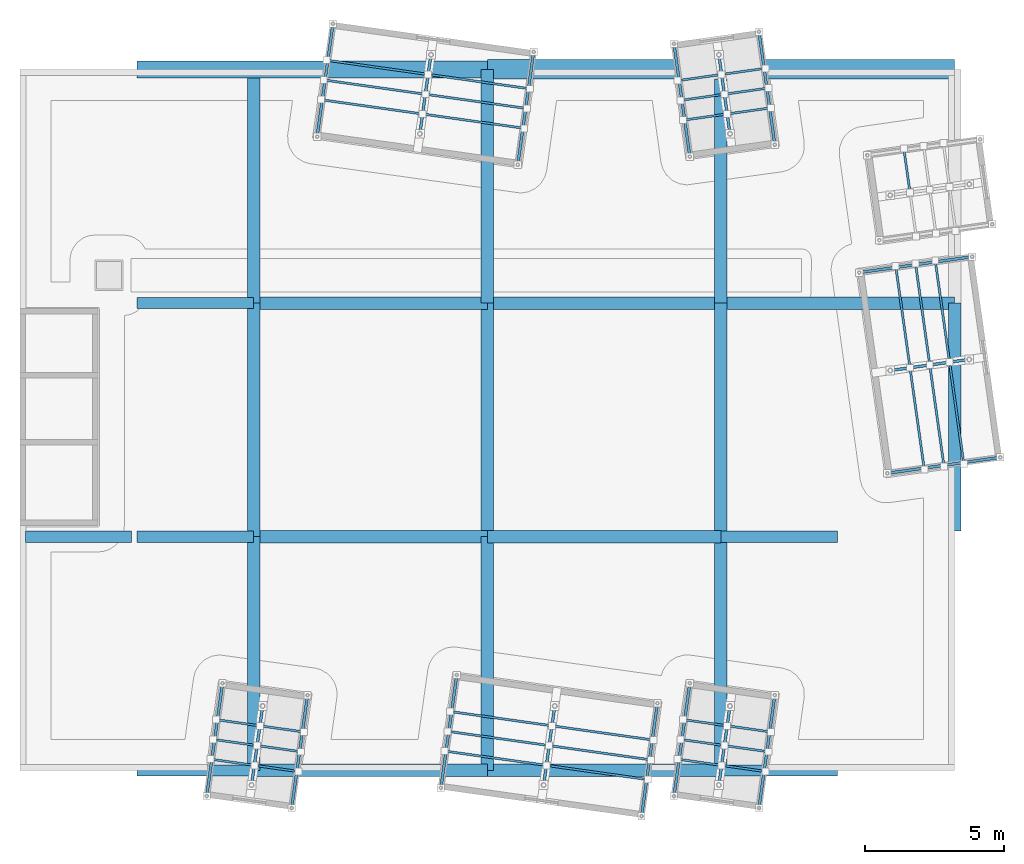
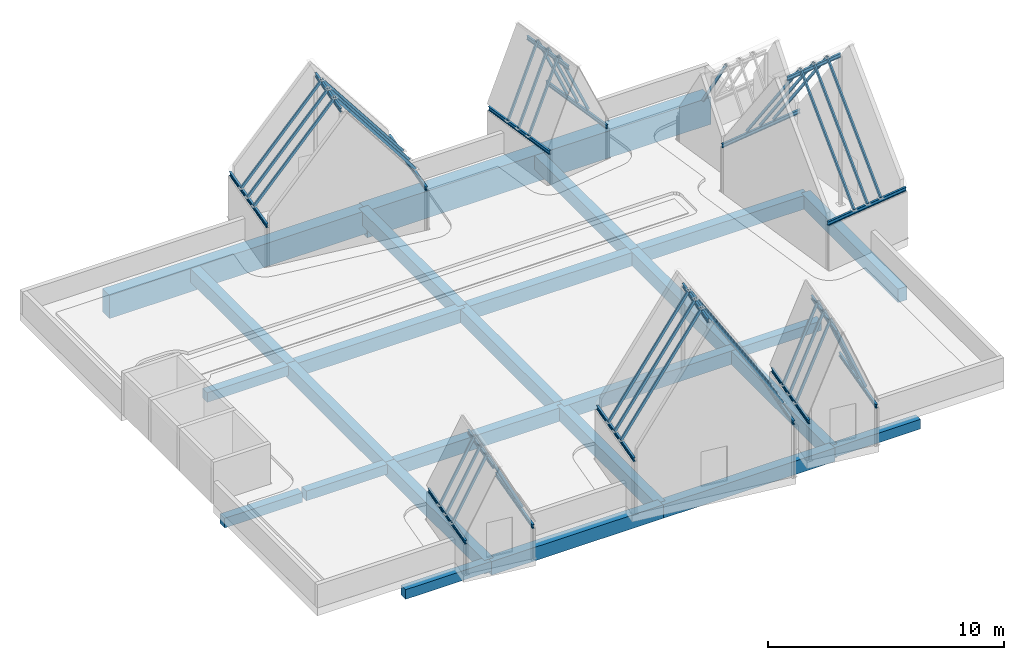
# One storey, part 7 of 11: 43 beams, 37 members.
"""IFC4 building model written with IfcOpenShell, lengths in metres."""

from ifc_helpers import new_model, si_unit, direction, frame, origin, origin_2d, place, context, subcontext, project, spatial, rectangle, hollow_rectangle, i_section, extrude, material, material_profile, profile_set, type_object, element, save


model = new_model("IFC4")

# Units and contexts
model_context = context("Model", 3, precision=1e-05, world=origin(), true_north=direction((0.0, 1.0)))
body_context = subcontext(model_context, "Body", "Model", "MODEL_VIEW")
ifc_project = project(units=[si_unit("LENGTHUNIT", "METRE"), si_unit("AREAUNIT", "SQUARE_METRE"), si_unit("VOLUMEUNIT", "CUBIC_METRE"), si_unit("PLANEANGLEUNIT", "RADIAN"), si_unit("MASSUNIT", "GRAM", prefix="KILO")], contexts=[model_context])

# Site, building, storey
site_placement = place(None, origin())
site = spatial("IfcSite", under=ifc_project, at=site_placement, CompositionType="ELEMENT")
building_placement = place(site_placement, origin())
building = spatial("IfcBuilding", under=site, at=building_placement, Name="Kiln Court Media Centre", CompositionType="ELEMENT")
storey_placement = place(building_placement, frame((0.0, 0.0, 42.60009765625)))
storey = spatial("IfcBuildingStorey", under=building, at=storey_placement, Name="ROOF", CompositionType="ELEMENT", Elevation=42.60009765625)

# Beams
ifc_material_1 = material(Name="Concrete C30/37", Category="concrete")
ifc_material_profile_1 = material_profile(ifc_material_1, rectangle(XDim=0.39990234375, YDim=0.5, at=origin_2d()), Name="RC 400x500")
ifc_profile_set_1 = profile_set([ifc_material_profile_1], Name="Concrete C30/37")
beam_type_1 = type_object("IfcBeamType", Name="Concrete C30/37 beam 400x500", PredefinedType="BEAM", material=ifc_profile_set_1)
for number, where, z_axis, x_axis, name in (
    (1, (4.199951171875, 0.0, -0.650146484375), (1.0, 0.0, 0.0), (0.0, 1.0, 0.0), "ROOF-B-1011"),
    (2, (25.199951171875, 0.0, -0.650146484375), (1.0, 0.0, 0.0), (0.0, 1.0, 0.0), "ROOF-B-1014"),
):
    element("IfcBeam", number, at=place(storey_placement, frame(where, z_axis=z_axis, x_axis=x_axis)), inside=storey, type_object=beam_type_1, Name=name, PredefinedType="BEAM", context=body_context, shape_type="SweptSolid", body=[
        extrude(rectangle(XDim=0.39990234375, YDim=0.5, at=origin_2d()), origin(), (0.0, 0.0, 1.0), 4.199951171875),
    ])
beam_1_placement = place(storey_placement, frame((0.199951171875, 8.39990234375, -0.650146484375), z_axis=(1.0, 0.0, 0.0), x_axis=(0.0, 1.0, 0.0)))
element("IfcBeam", 3, at=beam_1_placement, inside=storey, type_object=beam_type_1, Name="ROOF-B-1015", PredefinedType="BEAM", context=body_context, shape_type="SweptSolid", body=[
    extrude(rectangle(XDim=0.39990234375, YDim=0.5, at=origin_2d()), origin(), (0.0, 0.0, 1.0), 3.800048828125),
])
for number, where, z_axis, x_axis, name in (
    (4, (4.199951171875, 8.39990234375, -0.650146484375), (1.0, 0.0, 0.0), (0.0, 1.0, 0.0), "ROOF-B-1016"),
    (5, (25.199951171875, 8.39990234375, -0.650146484375), (1.0, 0.0, 0.0), (0.0, 1.0, 0.0), "ROOF-B-1019"),
    (6, (4.199951171875, 16.800048828125, -0.650146484375), (1.0, 0.0, 0.0), (0.0, 1.0, 0.0), "ROOF-B-1020"),
):
    element("IfcBeam", number, at=place(storey_placement, frame(where, z_axis=z_axis, x_axis=x_axis)), inside=storey, type_object=beam_type_1, Name=name, PredefinedType="BEAM", context=body_context, shape_type="SweptSolid", body=[
        extrude(rectangle(XDim=0.39990234375, YDim=0.5, at=origin_2d()), origin(), (0.0, 0.0, 1.0), 4.199951171875),
    ])
ifc_material_2 = material(Name="Concrete C30/37", Category="concrete")
ifc_material_profile_2 = material_profile(ifc_material_2, rectangle(XDim=0.449951171875, YDim=0.699951171875, at=origin_2d()), Name="RC 450x700")
ifc_profile_set_2 = profile_set([ifc_material_profile_2], Name="Concrete C30/37")
beam_type_2 = type_object("IfcBeamType", Name="Concrete C30/37 beam 450x700", PredefinedType="BEAM", material=ifc_profile_set_2)
beam_2_placement = place(storey_placement, frame((8.39990234375, 0.0, -0.75), z_axis=(0.0, 1.0, 0.0), x_axis=(-1.0, 0.0, 0.0)))
element("IfcBeam", 7, at=beam_2_placement, inside=storey, type_object=beam_type_2, Name="ROOF-B-1000", PredefinedType="BEAM", context=body_context, shape_type="SweptSolid", body=[
    extrude(rectangle(XDim=0.449951171875, YDim=0.699951171875, at=origin_2d()), origin(), (0.0, 0.0, 1.0), 8.39990234375),
])
beam_3_placement = place(storey_placement, frame((8.39990234375, 8.39990234375, -0.75), z_axis=(0.0, 1.0, 0.0), x_axis=(-1.0, 0.0, 0.0)))
element("IfcBeam", 8, at=beam_3_placement, inside=storey, type_object=beam_type_2, Name="ROOF-B-1001", PredefinedType="BEAM", context=body_context, shape_type="SweptSolid", body=[
    extrude(rectangle(XDim=0.449951171875, YDim=0.699951171875, at=origin_2d()), origin(), (0.0, 0.0, 1.0), 8.400146484375),
])
beam_4_placement = place(storey_placement, frame((8.39990234375, 16.800048828125, -0.75), z_axis=(0.0, 1.0, 0.0), x_axis=(-1.0, 0.0, 0.0)))
element("IfcBeam", 9, at=beam_4_placement, inside=storey, type_object=beam_type_2, Name="ROOF-B-1002", PredefinedType="BEAM", context=body_context, shape_type="SweptSolid", body=[
    extrude(rectangle(XDim=0.449951171875, YDim=0.699951171875, at=origin_2d()), origin(), (0.0, 0.0, 1.0), 8.099853515625),
])
beam_5_placement = place(storey_placement, frame((16.800048828125, 0.0, -0.75), z_axis=(0.0, 1.0, 0.0), x_axis=(-1.0, 0.0, 0.0)))
element("IfcBeam", 10, at=beam_5_placement, inside=storey, type_object=beam_type_2, Name="ROOF-B-1003", PredefinedType="BEAM", context=body_context, shape_type="SweptSolid", body=[
    extrude(rectangle(XDim=0.449951171875, YDim=0.699951171875, at=origin_2d()), origin(), (0.0, 0.0, 1.0), 8.39990234375),
])
beam_6_placement = place(storey_placement, frame((16.800048828125, 8.39990234375, -0.75), z_axis=(0.0, 1.0, 0.0), x_axis=(-1.0, 0.0, 0.0)))
element("IfcBeam", 11, at=beam_6_placement, inside=storey, type_object=beam_type_2, Name="ROOF-B-1004", PredefinedType="BEAM", context=body_context, shape_type="SweptSolid", body=[
    extrude(rectangle(XDim=0.449951171875, YDim=0.699951171875, at=origin_2d()), origin(), (0.0, 0.0, 1.0), 8.400146484375),
])
for number, where, z_axis, x_axis, name in (
    (12, (16.800048828125, 16.800048828125, -0.75), (0.0, 1.0, 0.0), (-1.0, 0.0, 0.0), "ROOF-B-1005"),
    (13, (25.199951171875, 0.0, -0.75), (0.0, 1.0, 0.0), (-1.0, 0.0, 0.0), "ROOF-B-1006"),
):
    element("IfcBeam", number, at=place(storey_placement, frame(where, z_axis=z_axis, x_axis=x_axis)), inside=storey, type_object=beam_type_2, Name=name, PredefinedType="BEAM", context=body_context, shape_type="SweptSolid", body=[
        extrude(rectangle(XDim=0.449951171875, YDim=0.699951171875, at=origin_2d()), origin(), (0.0, 0.0, 1.0), 8.39990234375),
    ])
beam_7_placement = place(storey_placement, frame((25.199951171875, 8.39990234375, -0.75), z_axis=(0.0, 1.0, 0.0), x_axis=(-1.0, 0.0, 0.0)))
element("IfcBeam", 14, at=beam_7_placement, inside=storey, type_object=beam_type_2, Name="ROOF-B-1007", PredefinedType="BEAM", context=body_context, shape_type="SweptSolid", body=[
    extrude(rectangle(XDim=0.449951171875, YDim=0.699951171875, at=origin_2d()), origin(), (0.0, 0.0, 1.0), 8.400146484375),
])
beam_8_placement = place(storey_placement, frame((25.199951171875, 16.800048828125, -0.75), z_axis=(0.0, 1.0, 0.0), x_axis=(-1.0, 0.0, 0.0)))
element("IfcBeam", 15, at=beam_8_placement, inside=storey, type_object=beam_type_2, Name="ROOF-B-1008", PredefinedType="BEAM", context=body_context, shape_type="SweptSolid", body=[
    extrude(rectangle(XDim=0.449951171875, YDim=0.699951171875, at=origin_2d()), origin(), (0.0, 0.0, 1.0), 8.050048828125),
])
beam_9_placement = place(storey_placement, frame((33.60009765625, 8.60009765625, -0.75), z_axis=(0.0, 1.0, 0.0), x_axis=(-1.0, 0.0, 0.0)))
element("IfcBeam", 16, at=beam_9_placement, inside=storey, type_object=beam_type_2, Name="ROOF-B-1009", PredefinedType="BEAM", context=body_context, shape_type="SweptSolid", body=[
    extrude(rectangle(XDim=0.449951171875, YDim=0.699951171875, at=origin_2d()), origin(), (0.0, 0.0, 1.0), 8.199951171875),
])
beam_10_placement = place(storey_placement, frame((8.39990234375, 0.0, -0.75), z_axis=(1.0, 0.0, 0.0), x_axis=(0.0, 1.0, 0.0)))
element("IfcBeam", 17, at=beam_10_placement, inside=storey, type_object=beam_type_2, Name="ROOF-B-1012", PredefinedType="BEAM", context=body_context, shape_type="SweptSolid", body=[
    extrude(rectangle(XDim=0.449951171875, YDim=0.699951171875, at=origin_2d()), origin(), (0.0, 0.0, 1.0), 8.400146484375),
])
beam_11_placement = place(storey_placement, frame((16.800048828125, 0.0, -0.75), z_axis=(1.0, 0.0, 0.0), x_axis=(0.0, 1.0, 0.0)))
element("IfcBeam", 18, at=beam_11_placement, inside=storey, type_object=beam_type_2, Name="ROOF-B-1013", PredefinedType="BEAM", context=body_context, shape_type="SweptSolid", body=[
    extrude(rectangle(XDim=0.449951171875, YDim=0.699951171875, at=origin_2d()), origin(), (0.0, 0.0, 1.0), 8.39990234375),
])
beam_12_placement = place(storey_placement, frame((8.39990234375, 8.39990234375, -0.75), z_axis=(1.0, 0.0, 0.0), x_axis=(0.0, 1.0, 0.0)))
element("IfcBeam", 19, at=beam_12_placement, inside=storey, type_object=beam_type_2, Name="ROOF-B-1017", PredefinedType="BEAM", context=body_context, shape_type="SweptSolid", body=[
    extrude(rectangle(XDim=0.449951171875, YDim=0.699951171875, at=origin_2d()), origin(), (0.0, 0.0, 1.0), 8.400146484375),
])
beam_13_placement = place(storey_placement, frame((16.800048828125, 8.39990234375, -0.75), z_axis=(1.0, 0.0, 0.0), x_axis=(0.0, 1.0, 0.0)))
element("IfcBeam", 20, at=beam_13_placement, inside=storey, type_object=beam_type_2, Name="ROOF-B-1018", PredefinedType="BEAM", context=body_context, shape_type="SweptSolid", body=[
    extrude(rectangle(XDim=0.449951171875, YDim=0.699951171875, at=origin_2d()), origin(), (0.0, 0.0, 1.0), 8.39990234375),
])
beam_14_placement = place(storey_placement, frame((8.39990234375, 16.800048828125, -0.75), z_axis=(1.0, 0.0, 0.0), x_axis=(0.0, 1.0, 0.0)))
element("IfcBeam", 21, at=beam_14_placement, inside=storey, type_object=beam_type_2, Name="ROOF-B-1021", PredefinedType="BEAM", context=body_context, shape_type="SweptSolid", body=[
    extrude(rectangle(XDim=0.449951171875, YDim=0.699951171875, at=origin_2d()), origin(), (0.0, 0.0, 1.0), 8.400146484375),
])
beam_15_placement = place(storey_placement, frame((16.800048828125, 16.800048828125, -0.75), z_axis=(1.0, 0.0, 0.0), x_axis=(0.0, 1.0, 0.0)))
element("IfcBeam", 22, at=beam_15_placement, inside=storey, type_object=beam_type_2, Name="ROOF-B-1022", PredefinedType="BEAM", context=body_context, shape_type="SweptSolid", body=[
    extrude(rectangle(XDim=0.449951171875, YDim=0.699951171875, at=origin_2d()), origin(), (0.0, 0.0, 1.0), 8.39990234375),
])
beam_16_placement = place(storey_placement, frame((25.199951171875, 16.800048828125, -0.75), z_axis=(1.0, 0.0, 0.0), x_axis=(0.0, 1.0, 0.0)))
element("IfcBeam", 23, at=beam_16_placement, inside=storey, type_object=beam_type_2, Name="ROOF-B-1023", PredefinedType="BEAM", context=body_context, shape_type="SweptSolid", body=[
    extrude(rectangle(XDim=0.449951171875, YDim=0.699951171875, at=origin_2d()), origin(), (0.0, 0.0, 1.0), 8.400146484375),
])
ifc_material_3 = material(Name="Concrete C30/37", Category="concrete")
ifc_material_profile_3 = material_profile(ifc_material_3, rectangle(XDim=0.60009765625, YDim=1.199951171875, at=origin_2d()), Name="RC 600x1200")
ifc_profile_set_3 = profile_set([ifc_material_profile_3], Name="Concrete C30/37")
beam_type_3 = type_object("IfcBeamType", Name="Concrete C30/37 beam 600x1200", PredefinedType="BEAM", material=ifc_profile_set_3)
beam_17_placement = place(storey_placement, frame((4.199951171875, 25.199951171875, -1.0), z_axis=(1.0, 0.0, 0.0), x_axis=(0.0, 1.0, 0.0)))
element("IfcBeam", 24, at=beam_17_placement, inside=storey, type_object=beam_type_3, Name="ROOF-B-1024", PredefinedType="BEAM", context=body_context, shape_type="SweptSolid", body=[
    extrude(rectangle(XDim=0.60009765625, YDim=1.199951171875, at=origin_2d()), origin(), (0.0, 0.0, 1.0), 12.60009765625),
])
ifc_material_4 = material(Name="Concrete C30/37", Category="concrete")
ifc_material_profile_4 = material_profile(ifc_material_4, rectangle(XDim=0.699951171875, YDim=1.39990234375, at=origin_2d()), Name="RC 700x1400")
ifc_profile_set_4 = profile_set([ifc_material_profile_4], Name="Concrete C30/37")
beam_type_4 = type_object("IfcBeamType", Name="Concrete C30/37 beam 700x1400", PredefinedType="BEAM", material=ifc_profile_set_4)
beam_18_placement = place(storey_placement, frame((16.800048828125, 25.199951171875, -1.10009765625), z_axis=(1.0, 0.0, 0.0), x_axis=(0.0, 1.0, 0.0)))
element("IfcBeam", 25, at=beam_18_placement, inside=storey, type_object=beam_type_4, Name="ROOF-B-1025", PredefinedType="BEAM", context=body_context, shape_type="SweptSolid", body=[
    extrude(rectangle(XDim=0.699951171875, YDim=1.39990234375, at=origin_2d()), origin(), (0.0, 0.0, 1.0), 16.800048828125),
])

# Members
ifc_material_5 = material(Name="Steel ASTM A500 Gr C", Category="steel")
ifc_material_profile_5 = material_profile(ifc_material_5, hollow_rectangle(XDim=0.080078125, YDim=0.1201171875, WallThickness=0.00634765625, at=origin_2d()), Name="RHS 120x80x6.3")
ifc_profile_set_5 = profile_set([ifc_material_profile_5], Name="Steel ASTM A500 Gr C")
member_type = type_object("IfcMemberType", Name="Steel ASTM A500 Gr C RHS 120x80x6.3 crown rafter", PredefinedType="BRACE", material=ifc_profile_set_5)
member_1_placement = place(storey_placement, frame((7.04443359375, 1.823974609375, 1.77880859375), z_axis=(0.444935552498, -0.062541141917, 0.893376158005), x_axis=(0.139193896019, 0.990265145964, 0.0)))
element("IfcMember", 26, at=member_1_placement, inside=storey, type_object=member_type, Name="crown form 1 rafter 1 crown rafter", PredefinedType="BRACE", context=body_context, shape_type="SweptSolid", body=[
    extrude(hollow_rectangle(XDim=0.080078125, YDim=0.1201171875, WallThickness=0.00634765625, at=origin_2d()), origin(), (0.0, 0.0, 1.0), 3.55224609375),
])
for number, where, z_axis, x_axis, name in (
    (27, (10.205810546875, 1.379638671875, 1.77880859375), (-0.44499067087, 0.06253922942, 0.893348838709), (-0.139172815303, -0.990268108888, 0.0), "crown form 1 rafter 1 crown rafter"),
    (28, (6.944580078125, 1.11328125, 1.77880859375), (0.44499067087, -0.06253922942, 0.893348838709), (0.139172815303, 0.990268108888, 0.0), "crown form 1 rafter 2 crown rafter"),
):
    element("IfcMember", number, at=place(storey_placement, frame(where, z_axis=z_axis, x_axis=x_axis)), inside=storey, type_object=member_type, Name=name, PredefinedType="BRACE", context=body_context, shape_type="SweptSolid", body=[
        extrude(hollow_rectangle(XDim=0.080078125, YDim=0.1201171875, WallThickness=0.00634765625, at=origin_2d()), origin(), (0.0, 0.0, 1.0), 3.552490234375),
    ])
for number, where, z_axis, x_axis, name in (
    (29, (10.105712890625, 0.669189453125, 1.77880859375), (-0.444882340349, 0.062474594064, 0.893407313795), (-0.139064959714, -0.990283260981, 0.0), "crown form 1 rafter 2 crown rafter"),
    (30, (6.8447265625, 0.40283203125, 1.77880859375), (0.444935552498, -0.062541141917, 0.893376158005), (0.139193896019, 0.990265145964, 0.0), "crown form 1 rafter 3 crown rafter"),
):
    element("IfcMember", number, at=place(storey_placement, frame(where, z_axis=z_axis, x_axis=x_axis)), inside=storey, type_object=member_type, Name=name, PredefinedType="BRACE", context=body_context, shape_type="SweptSolid", body=[
        extrude(hollow_rectangle(XDim=0.080078125, YDim=0.1201171875, WallThickness=0.00634765625, at=origin_2d()), origin(), (0.0, 0.0, 1.0), 3.55224609375),
    ])
member_2_placement = place(storey_placement, frame((10.006103515625, -0.04150390625, 1.77880859375), z_axis=(-0.44499067087, 0.06253922942, 0.893348838709), x_axis=(-0.139172815303, -0.990268108888, 0.0)))
element("IfcMember", 31, at=member_2_placement, inside=storey, type_object=member_type, Name="crown form 1 rafter 3 crown rafter", PredefinedType="BRACE", context=body_context, shape_type="SweptSolid", body=[
    extrude(hollow_rectangle(XDim=0.080078125, YDim=0.1201171875, WallThickness=0.00634765625, at=origin_2d()), origin(), (0.0, 0.0, 1.0), 3.552490234375),
])
member_3_placement = place(storey_placement, frame((15.4677734375, 2.11572265625, 2.931884765625), z_axis=(0.52669523481, -0.074011580058, 0.846826083471), x_axis=(0.139153542748, 0.990270817272, 0.0)))
element("IfcMember", 32, at=member_3_placement, inside=storey, type_object=member_type, Name="crown form 2 rafter 1 crown rafter", PredefinedType="BRACE", context=body_context, shape_type="SweptSolid", body=[
    extrude(hollow_rectangle(XDim=0.080078125, YDim=0.1201171875, WallThickness=0.00634765625, at=origin_2d()), origin(), (0.0, 0.0, 1.0), 6.943603515625),
])
for number, where, z_axis, x_axis, name in (
    (33, (22.782470703125, 1.087646484375, 2.931884765625), (-0.526719269445, 0.074045175986, 0.846808197356), (-0.139209255089, -0.990262986937, 0.0), "crown form 2 rafter 1 crown rafter"),
    (34, (15.367919921875, 1.4052734375, 2.931884765625), (0.526719269445, -0.074045175986, 0.846808197356), (0.139209255089, 0.990262986937, 0.0), "crown form 2 rafter 2 crown rafter"),
):
    element("IfcMember", number, at=place(storey_placement, frame(where, z_axis=z_axis, x_axis=x_axis)), inside=storey, type_object=member_type, Name=name, PredefinedType="BRACE", context=body_context, shape_type="SweptSolid", body=[
        extrude(hollow_rectangle(XDim=0.080078125, YDim=0.1201171875, WallThickness=0.00634765625, at=origin_2d()), origin(), (0.0, 0.0, 1.0), 6.94384765625),
    ])
for number, where, z_axis, x_axis, name in (
    (35, (22.6826171875, 0.377197265625, 2.931884765625), (-0.52669523481, 0.074011580058, 0.846826083471), (-0.139153542748, -0.990270817272, 0.0), "crown form 2 rafter 2 crown rafter"),
    (36, (15.26806640625, 0.694580078125, 2.931884765625), (0.52669523481, -0.074011580058, 0.846826083471), (0.139153542748, 0.990270817272, 0.0), "crown form 2 rafter 3 crown rafter"),
):
    element("IfcMember", number, at=place(storey_placement, frame(where, z_axis=z_axis, x_axis=x_axis)), inside=storey, type_object=member_type, Name=name, PredefinedType="BRACE", context=body_context, shape_type="SweptSolid", body=[
        extrude(hollow_rectangle(XDim=0.080078125, YDim=0.1201171875, WallThickness=0.00634765625, at=origin_2d()), origin(), (0.0, 0.0, 1.0), 6.943603515625),
    ])
member_4_placement = place(storey_placement, frame((22.582763671875, -0.333251953125, 2.931884765625), z_axis=(-0.526720640368, 0.074010209464, 0.846810401392), x_axis=(-0.139144433924, -0.990272097208, 0.0)))
element("IfcMember", 37, at=member_4_placement, inside=storey, type_object=member_type, Name="crown form 2 rafter 3 crown rafter", PredefinedType="BRACE", context=body_context, shape_type="SweptSolid", body=[
    extrude(hollow_rectangle(XDim=0.080078125, YDim=0.1201171875, WallThickness=0.00634765625, at=origin_2d()), origin(), (0.0, 0.0, 1.0), 6.94384765625),
])
for number, where, z_axis, x_axis, name in (
    (38, (23.842529296875, 1.82421875, 2.112548828125), (0.373639481675, -0.052512429467, 0.926086379603), (0.139175244701, 0.990267767456, 0.0), "crown form 3 rafter 1 crown rafter"),
    (39, (27.007568359375, 1.37939453125, 2.112548828125), (-0.373639481675, 0.052512429467, 0.926086379603), (-0.139175244701, -0.990267767456, 0.0), "crown form 3 rafter 1 crown rafter"),
    (40, (23.74267578125, 1.113525390625, 2.112548828125), (0.373639481675, -0.052512429467, 0.926086379603), (0.139175244701, 0.990267767456, 0.0), "crown form 3 rafter 2 crown rafter"),
    (41, (26.90771484375, 0.668701171875, 2.112548828125), (-0.373639481675, 0.052512429467, 0.926086379603), (-0.139175244701, -0.990267767456, 0.0), "crown form 3 rafter 2 crown rafter"),
    (42, (23.642822265625, 0.403076171875, 2.112548828125), (0.373639481675, -0.052512429467, 0.926086379603), (0.139175244701, 0.990267767456, 0.0), "crown form 3 rafter 3 crown rafter"),
    (43, (26.807861328125, -0.041748046875, 2.112548828125), (-0.373639481675, 0.052512429467, 0.926086379603), (-0.139175244701, -0.990267767456, 0.0), "crown form 3 rafter 3 crown rafter"),
):
    element("IfcMember", number, at=place(storey_placement, frame(where, z_axis=z_axis, x_axis=x_axis)), inside=storey, type_object=member_type, Name=name, PredefinedType="BRACE", context=body_context, shape_type="SweptSolid", body=[
        extrude(hollow_rectangle(XDim=0.080078125, YDim=0.1201171875, WallThickness=0.00634765625, at=origin_2d()), origin(), (0.0, 0.0, 1.0), 4.2353515625),
    ])
for number, where, z_axis, x_axis, name in (
    (44, (32.511962890625, 10.819091796875, 2.664306640625), (-0.079918983246, 0.568777022395, 0.818599813653), (-0.990272246841, -0.139143368997, 0.0), "crown form 4 rafter 1 crown rafter"),
    (45, (31.484619140625, 18.130615234375, 2.664306640625), (0.079918983246, -0.568777022395, 0.818599813653), (0.990272246841, 0.139143368997, 0.0), "crown form 4 rafter 1 crown rafter"),
):
    element("IfcMember", number, at=place(storey_placement, frame(where, z_axis=z_axis, x_axis=x_axis)), inside=storey, type_object=member_type, Name=name, PredefinedType="BRACE", context=body_context, shape_type="SweptSolid", body=[
        extrude(hollow_rectangle(XDim=0.080078125, YDim=0.1201171875, WallThickness=0.00634765625, at=origin_2d()), origin(), (0.0, 0.0, 1.0), 6.427490234375),
    ])
member_5_placement = place(storey_placement, frame((33.222412109375, 10.919189453125, 2.664306640625), z_axis=(-0.079920709862, 0.568751325456, 0.818617499158), x_axis=(-0.990270966327, -0.139152482011, 0.0)))
element("IfcMember", 46, at=member_5_placement, inside=storey, type_object=member_type, Name="crown form 4 rafter 2 crown rafter", PredefinedType="BRACE", context=body_context, shape_type="SweptSolid", body=[
    extrude(hollow_rectangle(XDim=0.080078125, YDim=0.1201171875, WallThickness=0.00634765625, at=origin_2d()), origin(), (0.0, 0.0, 1.0), 6.42724609375),
])
for number, where, z_axis, x_axis, name in (
    (47, (32.195068359375, 18.23046875, 2.664306640625), (0.079918983246, -0.568777022395, 0.818599813653), (0.990272246841, 0.139143368997, 0.0), "crown form 4 rafter 2 crown rafter"),
    (48, (33.93310546875, 11.018798828125, 2.664306640625), (-0.079956724774, 0.568775295375, 0.818597328077), (-0.990263132378, -0.139208220493, 0.0), "crown form 4 rafter 3 crown rafter"),
    (49, (32.905517578125, 18.330322265625, 2.664306640625), (0.079918983246, -0.568777022395, 0.818599813653), (0.990272246841, 0.139143368997, 0.0), "crown form 4 rafter 3 crown rafter"),
):
    element("IfcMember", number, at=place(storey_placement, frame(where, z_axis=z_axis, x_axis=x_axis)), inside=storey, type_object=member_type, Name=name, PredefinedType="BRACE", context=body_context, shape_type="SweptSolid", body=[
        extrude(hollow_rectangle(XDim=0.080078125, YDim=0.1201171875, WallThickness=0.00634765625, at=origin_2d()), origin(), (0.0, 0.0, 1.0), 6.427490234375),
    ])
member_6_placement = place(storey_placement, frame((31.7763671875, 22.353515625, 1.580322265625), z_axis=(0.070358789363, -0.50048397362, 0.862882050404), x_axis=(0.990262517646, 0.139212593341, 0.0)))
element("IfcMember", 50, at=member_6_placement, inside=storey, type_object=member_type, Name="crown form 5 rafter 1 crown rafter", PredefinedType="BRACE", context=body_context, shape_type="SweptSolid", body=[
    extrude(hollow_rectangle(XDim=0.080078125, YDim=0.1201171875, WallThickness=0.00634765625, at=origin_2d()), origin(), (0.0, 0.0, 1.0), 3.154052734375),
])
for number, where, z_axis, x_axis, name in (
    (51, (10.8212890625, 24.11181640625, 2.397216796875), (0.616146172229, -0.086626899189, 0.782853546192), (0.139225428698, 0.990260713148, 0.0), "crown form 6 rafter 1 crown rafter"),
    (52, (18.12841796875, 23.084716796875, 2.397216796875), (-0.616148369292, 0.086586035458, 0.782856337703), (-0.139160538675, -0.990269834174, 0.0), "crown form 6 rafter 1 crown rafter"),
    (53, (10.921142578125, 24.822265625, 2.397216796875), (0.616148369292, -0.086586035458, 0.782856337703), (0.139160538675, 0.990269834174, 0.0), "crown form 6 rafter 2 crown rafter"),
    (54, (18.228271484375, 23.79541015625, 2.397216796875), (-0.616148369292, 0.086586035458, 0.782856337703), (-0.139160538675, -0.990269834174, 0.0), "crown form 6 rafter 2 crown rafter"),
    (55, (11.02099609375, 25.53271484375, 2.397216796875), (0.616148369292, -0.086586035458, 0.782856337703), (0.139160538675, 0.990269834174, 0.0), "crown form 6 rafter 3 crown rafter"),
    (56, (18.328125, 24.505859375, 2.397216796875), (-0.616148369292, 0.086586035458, 0.782856337703), (-0.139160538675, -0.990269834174, 0.0), "crown form 6 rafter 3 crown rafter"),
):
    element("IfcMember", number, at=place(storey_placement, frame(where, z_axis=z_axis, x_axis=x_axis)), inside=storey, type_object=member_type, Name=name, PredefinedType="BRACE", context=body_context, shape_type="SweptSolid", body=[
        extrude(hollow_rectangle(XDim=0.080078125, YDim=0.1201171875, WallThickness=0.00634765625, at=origin_2d()), origin(), (0.0, 0.0, 1.0), 5.9296875),
    ])
for number, where, z_axis, x_axis, name in (
    (57, (23.843505859375, 23.3759765625, 1.9130859375), (0.4137913563, 0.058127529212, 0.908514118657), (-0.139109611072, 0.990276989588, 0.0), "crown form 7 rafter 1 crown rafter"),
    (58, (27.006591796875, 23.820556640625, 1.9130859375), (-0.413789819067, -0.058191189437, 0.90851074353), (0.139259515776, -0.990255920086, 0.0), "crown form 7 rafter 1 crown rafter"),
    (59, (23.743896484375, 24.08642578125, 1.9130859375), (0.413736877806, 0.058192727448, 0.908534755756), (-0.139280599335, 0.99025295488, 0.0), "crown form 7 rafter 2 crown rafter"),
    (60, (26.90673828125, 24.531005859375, 1.9130859375), (-0.4137913563, -0.058127529212, 0.908514118657), (0.139109611072, -0.990276989588, 0.0), "crown form 7 rafter 2 crown rafter"),
    (61, (23.643798828125, 24.797119140625, 1.9130859375), (0.4137913563, 0.058127529212, 0.908514118657), (-0.139109611072, 0.990276989588, 0.0), "crown form 7 rafter 3 crown rafter"),
    (62, (26.806884765625, 25.241455078125, 1.9130859375), (-0.4137913563, -0.058127529212, 0.908514118657), (0.139109611072, -0.990276989588, 0.0), "crown form 7 rafter 3 crown rafter"),
):
    element("IfcMember", number, at=place(storey_placement, frame(where, z_axis=z_axis, x_axis=x_axis)), inside=storey, type_object=member_type, Name=name, PredefinedType="BRACE", context=body_context, shape_type="SweptSolid", body=[
        extrude(hollow_rectangle(XDim=0.080078125, YDim=0.1201171875, WallThickness=0.00634765625, at=origin_2d()), origin(), (0.0, 0.0, 1.0), 3.822021484375),
    ])

# Beams
ifc_material_6 = material(Name="Steel ASTM A572 Gr 50", Category="steel")
ifc_material_profile_6 = material_profile(ifc_material_6, i_section(OverallWidth=0.10009765625, OverallDepth=0.199951171875, WebThickness=0.005615234375, FlangeThickness=0.008544921875, FilletRadius=0.011962890625, at=origin_2d()), Name="IPE 200")
ifc_profile_set_6 = profile_set([ifc_material_profile_6], Name="Steel ASTM A572 Gr 50")
beam_type_5 = type_object("IfcBeamType", Name="Steel ASTM A572 Gr 50 IPE 200 crown eaves beam", PredefinedType="JOIST", material=ifc_profile_set_6)
for number, where, z_axis, x_axis, name in (
    (63, (7.2900390625, 3.185546875, 1.65185546875), (-0.139158641769, -0.990270100741, 0.0), (0.990270100741, -0.139158641769, 0.0), "crown form 1 eaves beam crown eaves beam"),
    (64, (10.344970703125, 2.756103515625, 1.65185546875), (-0.139158641769, -0.990270100741, 0.0), (0.990270100741, -0.139158641769, 0.0), "crown form 1 eaves beam crown eaves beam"),
    (65, (15.71044921875, 3.477783203125, 2.7998046875), (-0.139158641769, -0.990270100741, 0.0), (0.990270100741, -0.139158641769, 0.0), "crown form 2 eaves beam crown eaves beam"),
    (66, (22.924560546875, 2.4638671875, 2.7998046875), (-0.139158641769, -0.990270100741, 0.0), (0.990270100741, -0.139158641769, 0.0), "crown form 2 eaves beam crown eaves beam"),
    (67, (24.090087890625, 3.185546875, 1.989990234375), (-0.139158641769, -0.990270100741, 0.0), (0.990270100741, -0.139158641769, 0.0), "crown form 3 eaves beam crown eaves beam"),
    (68, (27.14501953125, 2.756103515625, 1.989990234375), (-0.139158641769, -0.990270100741, 0.0), (0.990270100741, -0.139158641769, 0.0), "crown form 3 eaves beam crown eaves beam"),
):
    element("IfcBeam", number, at=place(storey_placement, frame(where, z_axis=z_axis, x_axis=x_axis)), inside=storey, type_object=beam_type_5, Name=name, PredefinedType="JOIST", context=body_context, shape_type="SweptSolid", body=[
        extrude(i_section(OverallWidth=0.10009765625, OverallDepth=0.199951171875, WebThickness=0.005615234375, FlangeThickness=0.008544921875, FilletRadius=0.011962890625, at=origin_2d()), origin(), (0.0, 0.0, 1.0), 4.199951171875),
    ])
beam_19_placement = place(storey_placement, frame((31.135986328125, 10.67529296875, 2.52978515625), z_axis=(0.990263215318, 0.139207630492, 0.0), x_axis=(-0.139207630492, 0.990263215318, 0.0)))
element("IfcBeam", 69, at=beam_19_placement, inside=storey, type_object=beam_type_5, Name="crown form 4 eaves beam crown eaves beam", PredefinedType="JOIST", context=body_context, shape_type="SweptSolid", body=[
    extrude(i_section(OverallWidth=0.10009765625, OverallDepth=0.199951171875, WebThickness=0.005615234375, FlangeThickness=0.008544921875, FilletRadius=0.011962890625, at=origin_2d()), origin(), (0.0, 0.0, 1.0), 4.200439453125),
])
for number, where, z_axis, x_axis, name in (
    (70, (30.122314453125, 17.889404296875, 2.52978515625), (0.990262088845, 0.139215643507, 0.0), (-0.139215643507, 0.990262088845, 0.0), "crown form 4 eaves beam crown eaves beam"),
    (71, (10.67529296875, 22.736083984375, 2.260009765625), (0.139215643507, 0.990262088845, 0.0), (-0.990262088845, 0.139215643507, 0.0), "crown form 6 eaves beam crown eaves beam"),
):
    element("IfcBeam", number, at=place(storey_placement, frame(where, z_axis=z_axis, x_axis=x_axis)), inside=storey, type_object=beam_type_5, Name=name, PredefinedType="JOIST", context=body_context, shape_type="SweptSolid", body=[
        extrude(i_section(OverallWidth=0.10009765625, OverallDepth=0.199951171875, WebThickness=0.005615234375, FlangeThickness=0.008544921875, FilletRadius=0.011962890625, at=origin_2d()), origin(), (0.0, 0.0, 1.0), 4.2001953125),
    ])
for number, where, z_axis, x_axis, name in (
    (72, (17.889404296875, 21.722412109375, 2.260009765625), (0.139223657435, 0.990260962176, 0.0), (-0.990260962176, 0.139223657435, 0.0), "crown form 6 eaves beam crown eaves beam"),
    (73, (24.090087890625, 22.014404296875, 1.787841796875), (-0.139158641769, 0.990270100741, 0.0), (-0.990270100741, -0.139158641769, 0.0), "crown form 7 eaves beam crown eaves beam"),
    (74, (27.14501953125, 22.44384765625, 1.787841796875), (-0.139158641769, 0.990270100741, 0.0), (-0.990270100741, -0.139158641769, 0.0), "crown form 7 eaves beam crown eaves beam"),
):
    element("IfcBeam", number, at=place(storey_placement, frame(where, z_axis=z_axis, x_axis=x_axis)), inside=storey, type_object=beam_type_5, Name=name, PredefinedType="JOIST", context=body_context, shape_type="SweptSolid", body=[
        extrude(i_section(OverallWidth=0.10009765625, OverallDepth=0.199951171875, WebThickness=0.005615234375, FlangeThickness=0.008544921875, FilletRadius=0.011962890625, at=origin_2d()), origin(), (0.0, 0.0, 1.0), 4.199951171875),
    ])
ifc_material_7 = material(Name="Steel ASTM A572 Gr 50", Category="steel")
ifc_material_profile_7 = material_profile(ifc_material_7, i_section(OverallWidth=0.10009765625, OverallDepth=0.199951171875, WebThickness=0.005615234375, FlangeThickness=0.008544921875, FilletRadius=0.011962890625, at=origin_2d()), Name="IPE 200")
ifc_profile_set_7 = profile_set([ifc_material_profile_7], Name="Steel ASTM A572 Gr 50")
beam_type_6 = type_object("IfcBeamType", Name="Steel ASTM A572 Gr 50 IPE 200 crown ridge beam", PredefinedType="BEAM", material=ifc_profile_set_7)
for number, where, z_axis, x_axis, name in (
    (75, (8.72509765625, 2.312255859375, 4.71875), (-0.139253528013, -0.990256762126, 0.0), (0.990256762126, -0.139253528013, 0.0), "crown form 1 ridge beam crown ridge beam"),
    (76, (19.22509765625, 2.312255859375, 8.59912109375), (-0.139253528013, -0.990256762126, 0.0), (0.990256762126, -0.139253528013, 0.0), "crown form 2 ridge beam crown ridge beam"),
):
    element("IfcBeam", number, at=place(storey_placement, frame(where, z_axis=z_axis, x_axis=x_axis)), inside=storey, type_object=beam_type_6, Name=name, PredefinedType="BEAM", context=body_context, shape_type="SweptSolid", body=[
        extrude(i_section(OverallWidth=0.10009765625, OverallDepth=0.199951171875, WebThickness=0.005615234375, FlangeThickness=0.008544921875, FilletRadius=0.011962890625, at=origin_2d()), origin(), (0.0, 0.0, 1.0), 2.8701171875),
    ])
beam_20_placement = place(storey_placement, frame((25.52490234375, 2.312255859375, 5.77587890625), z_axis=(-0.139170109801, -0.990268489117, 0.0), x_axis=(0.990268489117, -0.139170109801, 0.0)))
element("IfcBeam", 77, at=beam_20_placement, inside=storey, type_object=beam_type_6, Name="crown form 3 ridge beam crown ridge beam", PredefinedType="BEAM", context=body_context, shape_type="SweptSolid", body=[
    extrude(i_section(OverallWidth=0.10009765625, OverallDepth=0.199951171875, WebThickness=0.005615234375, FlangeThickness=0.008544921875, FilletRadius=0.011962890625, at=origin_2d()), origin(), (0.0, 0.0, 1.0), 2.869873046875),
])
beam_21_placement = place(storey_placement, frame((31.28759765625, 14.375, 7.72119140625), z_axis=(0.990270136519, 0.139158387163, 0.0), x_axis=(-0.139158387163, 0.990270136519, 0.0)))
element("IfcBeam", 78, at=beam_21_placement, inside=storey, type_object=beam_type_6, Name="crown form 4 ridge beam crown ridge beam", PredefinedType="BEAM", context=body_context, shape_type="SweptSolid", body=[
    extrude(i_section(OverallWidth=0.10009765625, OverallDepth=0.199951171875, WebThickness=0.005615234375, FlangeThickness=0.008544921875, FilletRadius=0.011962890625, at=origin_2d()), origin(), (0.0, 0.0, 1.0), 2.8701171875),
])
for number, where, z_axis, x_axis, name in (
    (79, (14.375, 22.8876953125, 6.8427734375), (0.139170109801, 0.990268489117, 0.0), (-0.990268489117, 0.139170109801, 0.0), "crown form 6 ridge beam crown ridge beam"),
    (80, (25.52490234375, 22.8876953125, 5.14208984375), (-0.139170109801, 0.990268489117, 0.0), (-0.990268489117, -0.139170109801, 0.0), "crown form 7 ridge beam crown ridge beam"),
):
    element("IfcBeam", number, at=place(storey_placement, frame(where, z_axis=z_axis, x_axis=x_axis)), inside=storey, type_object=beam_type_6, Name=name, PredefinedType="BEAM", context=body_context, shape_type="SweptSolid", body=[
        extrude(i_section(OverallWidth=0.10009765625, OverallDepth=0.199951171875, WebThickness=0.005615234375, FlangeThickness=0.008544921875, FilletRadius=0.011962890625, at=origin_2d()), origin(), (0.0, 0.0, 1.0), 2.869873046875),
    ])

save(model, "model.ifc")
